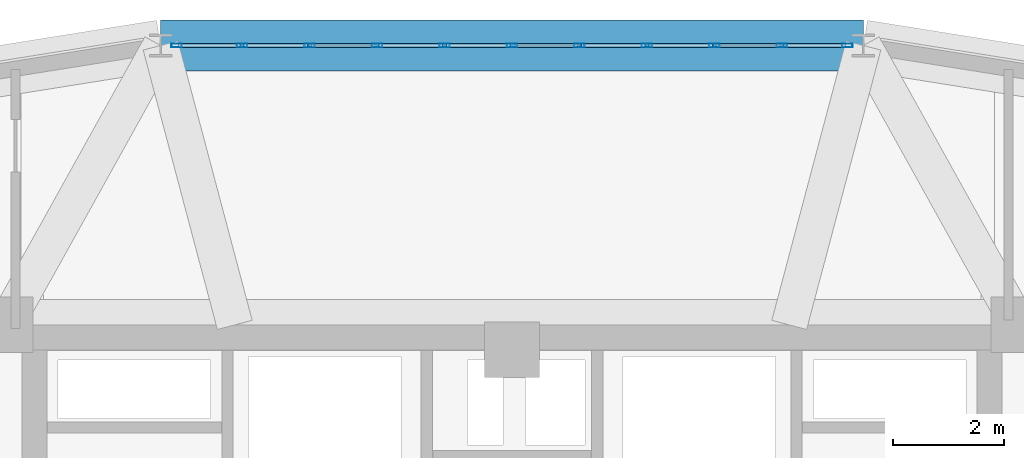
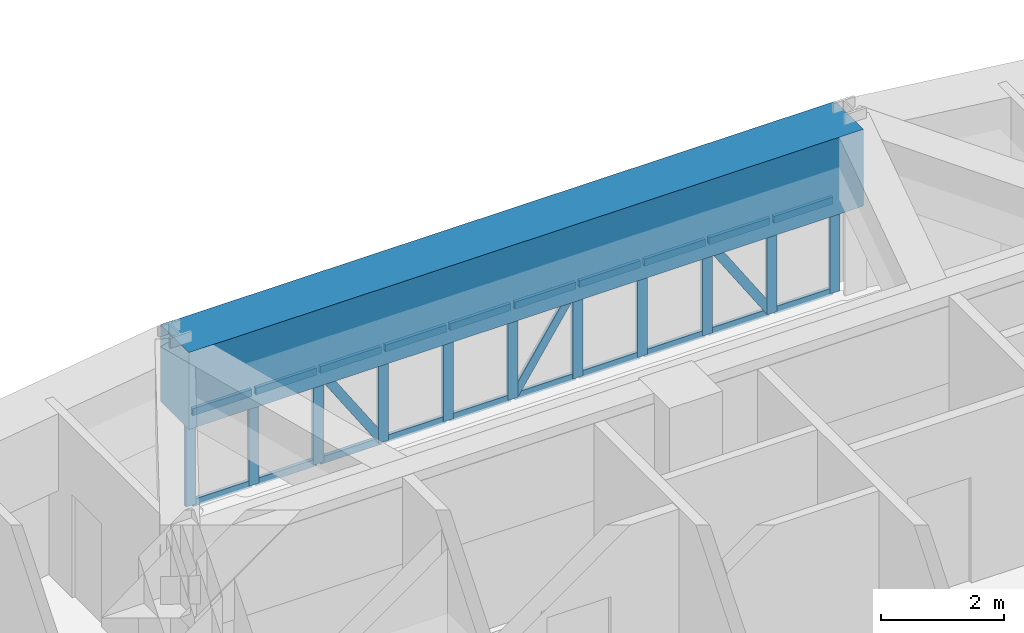
# One storey, part 8 of 14: 34 members, 1 beam, 1 element without a shape of its own.
"""IFC4 building model written with IfcOpenShell, lengths in metres."""

from ifc_helpers import new_model, si_unit, derived_unit, direction, frame, origin, origin_2d, place, context, subcontext, project, spatial, rectangle, hollow_rectangle, extrude, source, transform, mapped, material, layer, layer_set, material_profile, profile_set, type_object, element, aggregate, save


model = new_model("IFC4")

# Units and contexts
model_context = context("Model", 3, precision=1e-05, world=origin(), true_north=direction((0.0, 1.0)))
body_context = subcontext(model_context, "Body", "Model", "MODEL_VIEW")
ifc_project = project(units=[si_unit("LENGTHUNIT", "METRE"), si_unit("AREAUNIT", "SQUARE_METRE"), si_unit("VOLUMEUNIT", "CUBIC_METRE"), si_unit("PLANEANGLEUNIT", "RADIAN"), si_unit("MASSUNIT", "GRAM", prefix="KILO"), derived_unit("THERMALTRANSMITTANCEUNIT", [(si_unit("POWERUNIT", "WATT"), 1), (si_unit("LENGTHUNIT", "METRE"), -2), (si_unit("THERMODYNAMICTEMPERATUREUNIT", "KELVIN"), -1)])], contexts=[model_context])

# Site, building, storey
site_placement = place(None, origin())
site = spatial("IfcSite", under=ifc_project, at=site_placement, CompositionType="ELEMENT")
building_placement = place(site_placement, origin())
building = spatial("IfcBuilding", under=site, at=building_placement, Name="Korsvarv Bourse and Concert Hall", CompositionType="ELEMENT")
storey_placement = place(building_placement, frame((0.0, 0.0, 175.800048828125)))
storey = spatial("IfcBuildingStorey", under=building, at=storey_placement, Name="L45", CompositionType="ELEMENT", Elevation=175.800048828125)

# Beam
ifc_material_1 = material(Name="Concrete C50/60", Category="concrete")
ifc_material_profile_1 = material_profile(ifc_material_1, rectangle(XDim=0.919921875, YDim=1.530029296875, at=origin_2d()), Name="RC-BM 920x1530")
ifc_profile_set_1 = profile_set([ifc_material_profile_1], Name="Concrete C50/60")
beam_type = type_object("IfcBeamType", Name="BM-TR-154", PredefinedType="BEAM", material=ifc_profile_set_1)
shared_shape_1 = source(origin(), body_context, "Body", "SweptSolid", [
    extrude(rectangle(XDim=0.919921875, YDim=1.530029296875, at=origin_2d()), origin(), (0.0, 0.0, 1.0), 12.69189453125),
])
beam_placement = place(storey_placement, frame((42.345947265625, 52.2958984375, 2.635009765625), z_axis=(-1.0, 0.0, 0.0), x_axis=(0.0, -1.0, 0.0)))
element("IfcBeam", 1, at=beam_placement, inside=storey, type_object=beam_type, Name="L45 beam B-TR6", PredefinedType="BEAM", context=body_context, shape_type="MappedRepresentation", body=[
    mapped(shared_shape_1, transform((0.0, 0.0, 0.0), scale=1.0)),
])

# Curtain wall, members
ifc_material_2 = material(Name="Anodised aluminium and triple low-E glazing", Category="glass")
ifc_layer = layer(ifc_material_2, 0.199951171875)
ifc_layer_set = layer_set([ifc_layer], Name="Anodised aluminium and triple low-E glazing")
curtain_wall_type = type_object("IfcCurtainWallType", Name="CW-SYS-3", PredefinedType="NOTDEFINED", material=ifc_layer_set)
curtain_wall_placement = place(storey_placement, origin())
curtain_wall = element("IfcCurtainWall", 2, at=curtain_wall_placement, inside=storey, type_object=curtain_wall_type, Name="L45 CW3 curtain wall CW-L45-F03", PredefinedType="NOTDEFINED")
ifc_material_3 = material(Name="Extruded aluminium EN AW-6063 T66", Category="aluminium")
ifc_material_profile_2 = material_profile(ifc_material_3, hollow_rectangle(XDim=0.070068359375, YDim=0.18994140625, WallThickness=0.0048828125, at=origin_2d()), Name="ALU-M 70x190")
ifc_profile_set_2 = profile_set([ifc_material_profile_2], Name="Extruded aluminium EN AW-6063 T66")
member_type_1 = type_object("IfcMemberType", Name="CWM-190", PredefinedType="MULLION", material=ifc_profile_set_2)
shared_shape_2 = source(origin(), body_context, "Body", "SweptSolid", [
    extrude(hollow_rectangle(XDim=0.070068359375, YDim=0.18994140625, WallThickness=0.0048828125, at=origin_2d()), origin(), (0.0, 0.0, 1.0), 1.869873046875),
])
member_1_placement = place(storey_placement, frame((42.05810546875, 52.2958984375, 0.0), z_axis=(0.0, 0.0, 1.0), x_axis=(0.0, -1.0, 0.0)))
member_1 = element("IfcMember", 3, at=member_1_placement, type_object=member_type_1, Name="CW3 mullion 1", PredefinedType="MULLION", context=body_context, shape_type="MappedRepresentation", body=[
    mapped(shared_shape_2, transform((0.0, 0.0, 0.0), scale=1.0)),
])
member_2_placement = place(storey_placement, frame((40.87451171875, 52.2958984375, 0.0), z_axis=(0.0, 0.0, 1.0), x_axis=(0.0, -1.0, 0.0)))
member_2 = element("IfcMember", 4, at=member_2_placement, type_object=member_type_1, Name="CW3 mullion 2", PredefinedType="MULLION", context=body_context, shape_type="MappedRepresentation", body=[
    mapped(shared_shape_2, transform((0.0, 0.0, 0.0), scale=1.0)),
])
member_3_placement = place(storey_placement, frame((39.65576171875, 52.2958984375, 0.0), z_axis=(0.0, 0.0, 1.0), x_axis=(0.0, -1.0, 0.0)))
member_3 = element("IfcMember", 5, at=member_3_placement, type_object=member_type_1, Name="CW3 mullion 3", PredefinedType="MULLION", context=body_context, shape_type="MappedRepresentation", body=[
    mapped(shared_shape_2, transform((0.0, 0.0, 0.0), scale=1.0)),
])
member_4_placement = place(storey_placement, frame((38.437255859375, 52.2958984375, 0.0), z_axis=(0.0, 0.0, 1.0), x_axis=(0.0, -1.0, 0.0)))
member_4 = element("IfcMember", 6, at=member_4_placement, type_object=member_type_1, Name="CW3 mullion 4", PredefinedType="MULLION", context=body_context, shape_type="MappedRepresentation", body=[
    mapped(shared_shape_2, transform((0.0, 0.0, 0.0), scale=1.0)),
])
member_5_placement = place(storey_placement, frame((37.218505859375, 52.2958984375, 0.0), z_axis=(0.0, 0.0, 1.0), x_axis=(0.0, -1.0, 0.0)))
member_5 = element("IfcMember", 7, at=member_5_placement, type_object=member_type_1, Name="CW3 mullion 5", PredefinedType="MULLION", context=body_context, shape_type="MappedRepresentation", body=[
    mapped(shared_shape_2, transform((0.0, 0.0, 0.0), scale=1.0)),
])
member_6_placement = place(storey_placement, frame((36.0, 52.2958984375, 0.0), z_axis=(0.0, 0.0, 1.0), x_axis=(0.0, -1.0, 0.0)))
member_6 = element("IfcMember", 8, at=member_6_placement, type_object=member_type_1, Name="CW3 mullion 6", PredefinedType="MULLION", context=body_context, shape_type="MappedRepresentation", body=[
    mapped(shared_shape_2, transform((0.0, 0.0, 0.0), scale=1.0)),
])
member_7_placement = place(storey_placement, frame((34.781494140625, 52.2958984375, 0.0), z_axis=(0.0, 0.0, 1.0), x_axis=(0.0, -1.0, 0.0)))
member_7 = element("IfcMember", 9, at=member_7_placement, type_object=member_type_1, Name="CW3 mullion 7", PredefinedType="MULLION", context=body_context, shape_type="MappedRepresentation", body=[
    mapped(shared_shape_2, transform((0.0, 0.0, 0.0), scale=1.0)),
])
member_8_placement = place(storey_placement, frame((33.562744140625, 52.2958984375, 0.0), z_axis=(0.0, 0.0, 1.0), x_axis=(0.0, -1.0, 0.0)))
member_8 = element("IfcMember", 10, at=member_8_placement, type_object=member_type_1, Name="CW3 mullion 8", PredefinedType="MULLION", context=body_context, shape_type="MappedRepresentation", body=[
    mapped(shared_shape_2, transform((0.0, 0.0, 0.0), scale=1.0)),
])
member_9_placement = place(storey_placement, frame((32.34423828125, 52.2958984375, 0.0), z_axis=(0.0, 0.0, 1.0), x_axis=(0.0, -1.0, 0.0)))
member_9 = element("IfcMember", 11, at=member_9_placement, type_object=member_type_1, Name="CW3 mullion 9", PredefinedType="MULLION", context=body_context, shape_type="MappedRepresentation", body=[
    mapped(shared_shape_2, transform((0.0, 0.0, 0.0), scale=1.0)),
])
member_10_placement = place(storey_placement, frame((31.12548828125, 52.2958984375, 0.0), z_axis=(0.0, 0.0, 1.0), x_axis=(0.0, -1.0, 0.0)))
member_10 = element("IfcMember", 12, at=member_10_placement, type_object=member_type_1, Name="CW3 mullion 10", PredefinedType="MULLION", context=body_context, shape_type="MappedRepresentation", body=[
    mapped(shared_shape_2, transform((0.0, 0.0, 0.0), scale=1.0)),
])
member_11_placement = place(storey_placement, frame((29.94189453125, 52.2958984375, 0.0), z_axis=(0.0, 0.0, 1.0), x_axis=(0.0, -1.0, 0.0)))
member_11 = element("IfcMember", 13, at=member_11_placement, type_object=member_type_1, Name="CW3 mullion 11", PredefinedType="MULLION", context=body_context, shape_type="MappedRepresentation", body=[
    mapped(shared_shape_2, transform((0.0, 0.0, 0.0), scale=1.0)),
])
ifc_material_profile_3 = material_profile(ifc_material_3, hollow_rectangle(XDim=0.06494140625, YDim=0.139892578125, WallThickness=0.00390625, at=origin_2d()), Name="ALU-T 65x140")
ifc_profile_set_3 = profile_set([ifc_material_profile_3], Name="Extruded aluminium EN AW-6063 T66")
member_type_2 = type_object("IfcMemberType", Name="CWT-140", PredefinedType="USERDEFINED", material=ifc_profile_set_3)
shared_shape_3 = source(origin(), body_context, "Body", "SweptSolid", [
    extrude(hollow_rectangle(XDim=0.06494140625, YDim=0.139892578125, WallThickness=0.00390625, at=origin_2d()), origin(), (0.0, 0.0, 1.0), 1.113525390625),
])
member_12_placement = place(storey_placement, frame((42.02294921875, 52.2958984375, 0.032470703125), z_axis=(-1.0, 0.0, 0.0), x_axis=(0.0, -1.0, 0.0)))
member_12 = element("IfcMember", 14, at=member_12_placement, type_object=member_type_2, Name="CW3 transom 1.1", ObjectType="TRANSOM", PredefinedType="USERDEFINED", context=body_context, shape_type="MappedRepresentation", body=[
    mapped(shared_shape_3, transform((0.0, 0.0, 0.0), scale=1.0)),
])
member_13_placement = place(storey_placement, frame((42.02294921875, 52.2958984375, 1.83740234375), z_axis=(-1.0, 0.0, 0.0), x_axis=(0.0, -1.0, 0.0)))
member_13 = element("IfcMember", 15, at=member_13_placement, type_object=member_type_2, Name="CW3 transom 1.2", ObjectType="TRANSOM", PredefinedType="USERDEFINED", context=body_context, shape_type="MappedRepresentation", body=[
    mapped(shared_shape_3, transform((0.0, 0.0, 0.0), scale=1.0)),
])
member_14_placement = place(storey_placement, frame((31.090576171875, 52.2958984375, 0.032470703125), z_axis=(-1.0, 0.0, 0.0), x_axis=(0.0, -1.0, 0.0)))
member_14 = element("IfcMember", 16, at=member_14_placement, type_object=member_type_2, Name="CW3 transom 10.1", ObjectType="TRANSOM", PredefinedType="USERDEFINED", context=body_context, shape_type="MappedRepresentation", body=[
    mapped(shared_shape_3, transform((0.0, 0.0, 0.0), scale=1.0)),
])
member_15_placement = place(storey_placement, frame((31.090576171875, 52.2958984375, 1.83740234375), z_axis=(-1.0, 0.0, 0.0), x_axis=(0.0, -1.0, 0.0)))
member_15 = element("IfcMember", 17, at=member_15_placement, type_object=member_type_2, Name="CW3 transom 10.2", ObjectType="TRANSOM", PredefinedType="USERDEFINED", context=body_context, shape_type="MappedRepresentation", body=[
    mapped(shared_shape_3, transform((0.0, 0.0, 0.0), scale=1.0)),
])
shared_shape_4 = source(origin(), body_context, "Body", "SweptSolid", [
    extrude(hollow_rectangle(XDim=0.06494140625, YDim=0.139892578125, WallThickness=0.00390625, at=origin_2d()), origin(), (0.0, 0.0, 1.0), 1.1484375),
])
member_16_placement = place(storey_placement, frame((40.83935546875, 52.2958984375, 0.032470703125), z_axis=(-1.0, 0.0, 0.0), x_axis=(0.0, -1.0, 0.0)))
member_16 = element("IfcMember", 18, at=member_16_placement, type_object=member_type_2, Name="CW3 transom 2.1", ObjectType="TRANSOM", PredefinedType="USERDEFINED", context=body_context, shape_type="MappedRepresentation", body=[
    mapped(shared_shape_4, transform((0.0, 0.0, 0.0), scale=1.0)),
])
member_17_placement = place(storey_placement, frame((40.83935546875, 52.2958984375, 1.83740234375), z_axis=(-1.0, 0.0, 0.0), x_axis=(0.0, -1.0, 0.0)))
member_17 = element("IfcMember", 19, at=member_17_placement, type_object=member_type_2, Name="CW3 transom 2.2", ObjectType="TRANSOM", PredefinedType="USERDEFINED", context=body_context, shape_type="MappedRepresentation", body=[
    mapped(shared_shape_4, transform((0.0, 0.0, 0.0), scale=1.0)),
])
member_18_placement = place(storey_placement, frame((38.402099609375, 52.2958984375, 0.032470703125), z_axis=(-1.0, 0.0, 0.0), x_axis=(0.0, -1.0, 0.0)))
member_18 = element("IfcMember", 20, at=member_18_placement, type_object=member_type_2, Name="CW3 transom 4.1", ObjectType="TRANSOM", PredefinedType="USERDEFINED", context=body_context, shape_type="MappedRepresentation", body=[
    mapped(shared_shape_4, transform((0.0, 0.0, 0.0), scale=1.0)),
])
member_19_placement = place(storey_placement, frame((38.402099609375, 52.2958984375, 1.83740234375), z_axis=(-1.0, 0.0, 0.0), x_axis=(0.0, -1.0, 0.0)))
member_19 = element("IfcMember", 21, at=member_19_placement, type_object=member_type_2, Name="CW3 transom 4.2", ObjectType="TRANSOM", PredefinedType="USERDEFINED", context=body_context, shape_type="MappedRepresentation", body=[
    mapped(shared_shape_4, transform((0.0, 0.0, 0.0), scale=1.0)),
])
member_20_placement = place(storey_placement, frame((34.746337890625, 52.2958984375, 0.032470703125), z_axis=(-1.0, 0.0, 0.0), x_axis=(0.0, -1.0, 0.0)))
member_20 = element("IfcMember", 22, at=member_20_placement, type_object=member_type_2, Name="CW3 transom 7.1", ObjectType="TRANSOM", PredefinedType="USERDEFINED", context=body_context, shape_type="MappedRepresentation", body=[
    mapped(shared_shape_4, transform((0.0, 0.0, 0.0), scale=1.0)),
])
member_21_placement = place(storey_placement, frame((34.746337890625, 52.2958984375, 1.83740234375), z_axis=(-1.0, 0.0, 0.0), x_axis=(0.0, -1.0, 0.0)))
member_21 = element("IfcMember", 23, at=member_21_placement, type_object=member_type_2, Name="CW3 transom 7.2", ObjectType="TRANSOM", PredefinedType="USERDEFINED", context=body_context, shape_type="MappedRepresentation", body=[
    mapped(shared_shape_4, transform((0.0, 0.0, 0.0), scale=1.0)),
])
member_22_placement = place(storey_placement, frame((32.30908203125, 52.2958984375, 0.032470703125), z_axis=(-1.0, 0.0, 0.0), x_axis=(0.0, -1.0, 0.0)))
member_22 = element("IfcMember", 24, at=member_22_placement, type_object=member_type_2, Name="CW3 transom 9.1", ObjectType="TRANSOM", PredefinedType="USERDEFINED", context=body_context, shape_type="MappedRepresentation", body=[
    mapped(shared_shape_4, transform((0.0, 0.0, 0.0), scale=1.0)),
])
member_23_placement = place(storey_placement, frame((32.30908203125, 52.2958984375, 1.83740234375), z_axis=(-1.0, 0.0, 0.0), x_axis=(0.0, -1.0, 0.0)))
member_23 = element("IfcMember", 25, at=member_23_placement, type_object=member_type_2, Name="CW3 transom 9.2", ObjectType="TRANSOM", PredefinedType="USERDEFINED", context=body_context, shape_type="MappedRepresentation", body=[
    mapped(shared_shape_4, transform((0.0, 0.0, 0.0), scale=1.0)),
])
shared_shape_5 = source(origin(), body_context, "Body", "SweptSolid", [
    extrude(hollow_rectangle(XDim=0.06494140625, YDim=0.139892578125, WallThickness=0.00390625, at=origin_2d()), origin(), (0.0, 0.0, 1.0), 1.148681640625),
])
member_24_placement = place(storey_placement, frame((39.620849609375, 52.2958984375, 0.032470703125), z_axis=(-1.0, 0.0, 0.0), x_axis=(0.0, -1.0, 0.0)))
member_24 = element("IfcMember", 26, at=member_24_placement, type_object=member_type_2, Name="CW3 transom 3.1", ObjectType="TRANSOM", PredefinedType="USERDEFINED", context=body_context, shape_type="MappedRepresentation", body=[
    mapped(shared_shape_5, transform((0.0, 0.0, 0.0), scale=1.0)),
])
member_25_placement = place(storey_placement, frame((39.620849609375, 52.2958984375, 1.83740234375), z_axis=(-1.0, 0.0, 0.0), x_axis=(0.0, -1.0, 0.0)))
member_25 = element("IfcMember", 27, at=member_25_placement, type_object=member_type_2, Name="CW3 transom 3.2", ObjectType="TRANSOM", PredefinedType="USERDEFINED", context=body_context, shape_type="MappedRepresentation", body=[
    mapped(shared_shape_5, transform((0.0, 0.0, 0.0), scale=1.0)),
])
member_26_placement = place(storey_placement, frame((37.18359375, 52.2958984375, 0.032470703125), z_axis=(-1.0, 0.0, 0.0), x_axis=(0.0, -1.0, 0.0)))
member_26 = element("IfcMember", 28, at=member_26_placement, type_object=member_type_2, Name="CW3 transom 5.1", ObjectType="TRANSOM", PredefinedType="USERDEFINED", context=body_context, shape_type="MappedRepresentation", body=[
    mapped(shared_shape_5, transform((0.0, 0.0, 0.0), scale=1.0)),
])
member_27_placement = place(storey_placement, frame((37.18359375, 52.2958984375, 1.83740234375), z_axis=(-1.0, 0.0, 0.0), x_axis=(0.0, -1.0, 0.0)))
member_27 = element("IfcMember", 29, at=member_27_placement, type_object=member_type_2, Name="CW3 transom 5.2", ObjectType="TRANSOM", PredefinedType="USERDEFINED", context=body_context, shape_type="MappedRepresentation", body=[
    mapped(shared_shape_5, transform((0.0, 0.0, 0.0), scale=1.0)),
])
member_28_placement = place(storey_placement, frame((35.965087890625, 52.2958984375, 0.032470703125), z_axis=(-1.0, 0.0, 0.0), x_axis=(0.0, -1.0, 0.0)))
member_28 = element("IfcMember", 30, at=member_28_placement, type_object=member_type_2, Name="CW3 transom 6.1", ObjectType="TRANSOM", PredefinedType="USERDEFINED", context=body_context, shape_type="MappedRepresentation", body=[
    mapped(shared_shape_5, transform((0.0, 0.0, 0.0), scale=1.0)),
])
member_29_placement = place(storey_placement, frame((35.965087890625, 52.2958984375, 1.83740234375), z_axis=(-1.0, 0.0, 0.0), x_axis=(0.0, -1.0, 0.0)))
member_29 = element("IfcMember", 31, at=member_29_placement, type_object=member_type_2, Name="CW3 transom 6.2", ObjectType="TRANSOM", PredefinedType="USERDEFINED", context=body_context, shape_type="MappedRepresentation", body=[
    mapped(shared_shape_5, transform((0.0, 0.0, 0.0), scale=1.0)),
])
member_30_placement = place(storey_placement, frame((33.52783203125, 52.2958984375, 0.032470703125), z_axis=(-1.0, 0.0, 0.0), x_axis=(0.0, -1.0, 0.0)))
member_30 = element("IfcMember", 32, at=member_30_placement, type_object=member_type_2, Name="CW3 transom 8.1", ObjectType="TRANSOM", PredefinedType="USERDEFINED", context=body_context, shape_type="MappedRepresentation", body=[
    mapped(shared_shape_5, transform((0.0, 0.0, 0.0), scale=1.0)),
])
member_31_placement = place(storey_placement, frame((33.52783203125, 52.2958984375, 1.83740234375), z_axis=(-1.0, 0.0, 0.0), x_axis=(0.0, -1.0, 0.0)))
member_31 = element("IfcMember", 33, at=member_31_placement, type_object=member_type_2, Name="CW3 transom 8.2", ObjectType="TRANSOM", PredefinedType="USERDEFINED", context=body_context, shape_type="MappedRepresentation", body=[
    mapped(shared_shape_5, transform((0.0, 0.0, 0.0), scale=1.0)),
])
ifc_material_profile_4 = material_profile(ifc_material_3, hollow_rectangle(XDim=0.06494140625, YDim=0.1650390625, WallThickness=0.0048828125, at=origin_2d()), Name="ALU-M 65x165")
ifc_profile_set_4 = profile_set([ifc_material_profile_4], Name="Extruded aluminium EN AW-6063 T66")
member_type_3 = type_object("IfcMemberType", Name="CWM-165", PredefinedType="MULLION", material=ifc_profile_set_4)
shared_shape_6 = source(origin(), body_context, "Body", "SweptSolid", [
    extrude(hollow_rectangle(XDim=0.06494140625, YDim=0.1650390625, WallThickness=0.0048828125, at=origin_2d()), origin(), (0.0, 0.0, 1.0), 2.084716796875),
])
member_32_placement = place(storey_placement, frame((40.83935546875, 52.2958984375, 0.06494140625), z_axis=(-0.550856891101, 0.0, 0.834599715748), x_axis=(0.0, -1.0, 0.0)))
member_32 = element("IfcMember", 34, at=member_32_placement, type_object=member_type_3, Name="CW3 diagonal mullion 2", PredefinedType="MULLION", context=body_context, shape_type="MappedRepresentation", body=[
    mapped(shared_shape_6, transform((0.0, 0.0, 0.0), scale=1.0)),
])
shared_shape_7 = source(origin(), body_context, "Body", "SweptSolid", [
    extrude(hollow_rectangle(XDim=0.06494140625, YDim=0.1650390625, WallThickness=0.0048828125, at=origin_2d()), origin(), (0.0, 0.0, 1.0), 2.0849609375),
])
member_33_placement = place(storey_placement, frame((36.034912109375, 52.2958984375, 0.06494140625), z_axis=(0.550938452735, 0.0, 0.834545877288), x_axis=(0.0, 1.0, 0.0)))
member_33 = element("IfcMember", 35, at=member_33_placement, type_object=member_type_3, Name="CW3 diagonal mullion 5", PredefinedType="MULLION", context=body_context, shape_type="MappedRepresentation", body=[
    mapped(shared_shape_7, transform((0.0, 0.0, 0.0), scale=1.0)),
])
member_34_placement = place(storey_placement, frame((33.52783203125, 52.2958984375, 0.06494140625), z_axis=(-0.550938452735, 0.0, 0.834545877288), x_axis=(0.0, -1.0, 0.0)))
member_34 = element("IfcMember", 36, at=member_34_placement, type_object=member_type_3, Name="CW3 diagonal mullion 8", PredefinedType="MULLION", context=body_context, shape_type="MappedRepresentation", body=[
    mapped(shared_shape_7, transform((0.0, 0.0, 0.0), scale=1.0)),
])
aggregate(curtain_wall, [member_1, member_2, member_3, member_4, member_5, member_6, member_7, member_8, member_9, member_10, member_11, member_12, member_13, member_16, member_17, member_32, member_24, member_25, member_18, member_19, member_26, member_27, member_33, member_28, member_29, member_20, member_21, member_30, member_31, member_34, member_22, member_23, member_14, member_15])

save(model, "model.ifc")
